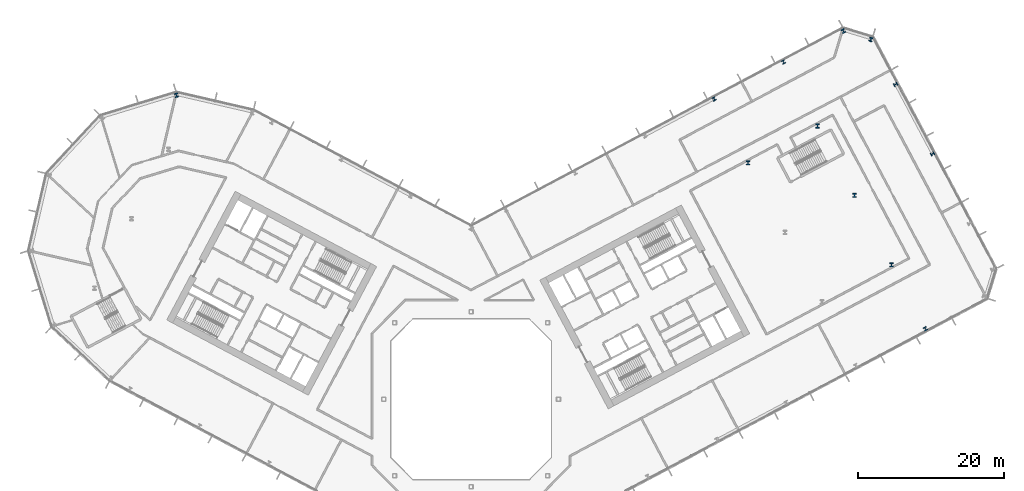
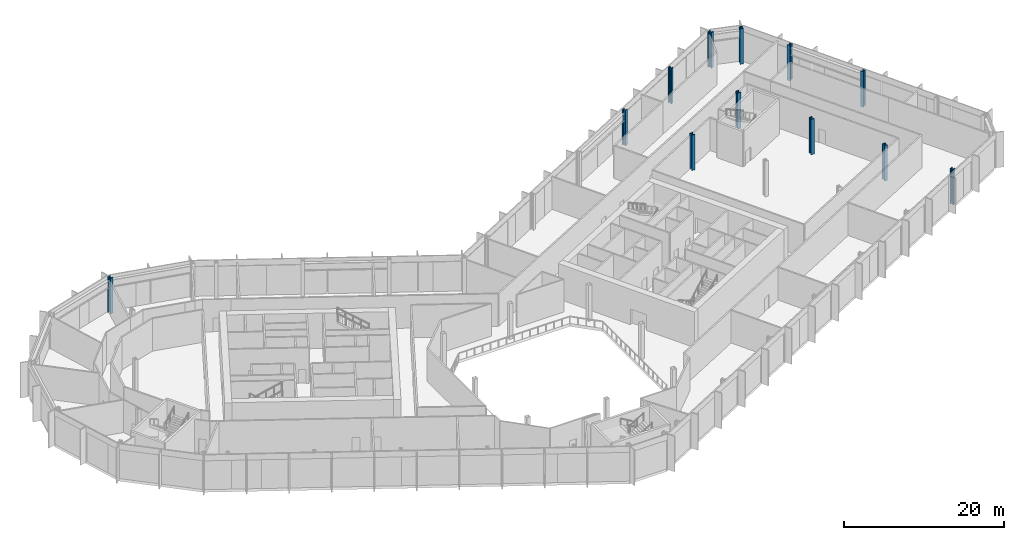
# One storey, part 4 of 31: 12 columns.
"""IFC4 building model written with IfcOpenShell, lengths in metres."""

import ifcopenshell
import ifcopenshell.guid

model = None  # the IFC model being written
_history = None  # IfcOwnerHistory: only IFC2X3 demands one
_inside = {}  # id of a spatial element -> (the spatial element, [elements in it])
_under = {}  # id of a project, library or spatial element -> (it, [spatial elements below it])
_declared = {}  # id of a project -> (the project, [libraries it declares])
_typed = {}  # id of a type object -> (the type object, [elements of that type])
_made_of = {}  # id of a material, layer set ... -> (it, [elements and type objects made of it])


def new_model(schema):
    """Start an empty IFC model of exactly this schema.

    Asked for "IFC4X3", IfcOpenShell would pick the latest addendum, in which some entities
    have other attributes; the version numbers below select the first issue.
    IFC2X3 requires an IfcOwnerHistory on every rooted entity: one is made here for all.
    """
    global model, _history
    if schema == "IFC4X3":
        model = ifcopenshell.file(schema_version=(4, 3, 0, 0))
    else:
        model = ifcopenshell.file(schema=schema)
    _inside.clear()
    _under.clear()
    _declared.clear()
    _typed.clear()
    _made_of.clear()
    _history = None
    if model.schema == "IFC2X3":
        org = make("IfcOrganization", Name="unknown")
        user = make(
            "IfcPersonAndOrganization",
            ThePerson=make("IfcPerson", FamilyName="unknown"),
            TheOrganization=org,
        )
        app = make(
            "IfcApplication",
            ApplicationDeveloper=org,
            Version="unknown",
            ApplicationFullName="unknown",
            ApplicationIdentifier="unknown",
        )
        _history = make(
            "IfcOwnerHistory",
            OwningUser=user,
            OwningApplication=app,
            ChangeAction="ADDED",
            CreationDate=0,
        )
    return model


def make(cls, **values):
    """One entity of the class cls with the attributes given. An attribute that is None is left unset."""
    return model.create_entity(
        cls, **{name: value for name, value in values.items() if value is not None}
    )


def rooted(cls, **values):
    """An entity with a GlobalId (a new one), such as an element, a storey or a relation."""
    return make(cls, GlobalId=ifcopenshell.guid.new(), OwnerHistory=_history, **values)


def si_unit(unit_type, name, prefix=None):
    """IfcSIUnit, for example si_unit("LENGTHUNIT", "METRE", prefix="MILLI")."""
    return make("IfcSIUnit", UnitType=unit_type, Prefix=prefix, Name=name)


def assignment(units):
    """IfcUnitAssignment: the units of a project."""
    return None if units is None else make("IfcUnitAssignment", Units=units)


def point(xyz):
    """IfcCartesianPoint."""
    return None if xyz is None else make("IfcCartesianPoint", Coordinates=xyz)


def direction(xyz):
    """IfcDirection."""
    return None if xyz is None else make("IfcDirection", DirectionRatios=xyz)


def frame(location, z_axis=None, x_axis=None):
    """IfcAxis2Placement3D, a coordinate frame: its origin and axes. An axis left out is left unset."""
    return make(
        "IfcAxis2Placement3D",
        Location=point(location),
        Axis=direction(z_axis),
        RefDirection=direction(x_axis),
    )


def frame_2d(location, x_axis=None):
    """IfcAxis2Placement2D, a coordinate frame in the plane: its origin and x axis."""
    return make(
        "IfcAxis2Placement2D", Location=point(location), RefDirection=direction(x_axis)
    )


def origin():
    """The frame at (0, 0, 0) with its axes left unset."""
    return frame((0.0, 0.0, 0.0))


def origin_2d():
    """The frame at (0, 0) in the plane with its x axis left unset."""
    return frame_2d((0.0, 0.0))


def place(relative_to, where):
    """IfcLocalPlacement: puts the frame where relative to a parent placement (None: the world)."""
    return make(
        "IfcLocalPlacement", PlacementRelTo=relative_to, RelativePlacement=where
    )


def context(
    kind, dimensions, precision=None, world=None, true_north=None, identifier=None
):
    """IfcGeometricRepresentationContext, for example the 3D "Model" context."""
    return make(
        "IfcGeometricRepresentationContext",
        ContextIdentifier=identifier,
        ContextType=kind,
        CoordinateSpaceDimension=dimensions,
        Precision=precision,
        WorldCoordinateSystem=world,
        TrueNorth=true_north,
    )


def subcontext(parent, identifier, kind, view, scale=None):
    """IfcGeometricRepresentationSubContext, for example "Body" below "Model"."""
    return make(
        "IfcGeometricRepresentationSubContext",
        ContextIdentifier=identifier,
        ContextType=kind,
        ParentContext=parent,
        TargetScale=scale,
        TargetView=view,
    )


def project(units=None, contexts=None):
    """IfcProject with its units and contexts."""
    return rooted(
        "IfcProject",
        Name="project",
        RepresentationContexts=contexts,
        UnitsInContext=assignment(units),
    )


def spatial(cls, under=None, at=None, **own):
    """A site, building, storey or space (cls), placed at a placement, below another one or the project."""
    s = rooted(cls, ObjectPlacement=at, **own)
    if under is not None:
        _under.setdefault(under.id(), (under, []))[1].append(s)
    return s


def profile(cls, at=None, kind="AREA", **sizes):
    """A parametric profile (cls). Its sizes go by their IFC names, for example OverallWidth=200.0."""
    return make(cls, ProfileType=kind, Position=at, **sizes)


def i_section(**sizes):
    """IfcIShapeProfileDef."""
    return profile("IfcIShapeProfileDef", **sizes)


def extrude(swept, where, along, depth):
    """IfcExtrudedAreaSolid: the profile swept, set in the frame where, extruded along a direction by depth."""
    return make(
        "IfcExtrudedAreaSolid",
        SweptArea=swept,
        Position=where,
        ExtrudedDirection=direction(along),
        Depth=depth,
    )


def shape(context_of_items, identifier, shape_type, items):
    """IfcShapeRepresentation: the items that make up one representation, for example the "Body"."""
    return make(
        "IfcShapeRepresentation",
        ContextOfItems=context_of_items,
        RepresentationIdentifier=identifier,
        RepresentationType=shape_type,
        Items=items,
    )


def material(Name=None, Category=None):
    """IfcMaterial."""
    return make("IfcMaterial", Name=Name, Category=Category)


def material_profile(
    of_material, cross_section, Name=None, Category=None, Priority=None
):
    """IfcMaterialProfile: a cross section and its material."""
    return make(
        "IfcMaterialProfile",
        Name=Name,
        Material=of_material,
        Profile=cross_section,
        Priority=Priority,
        Category=Category,
    )


def profile_set(profiles, Name=None, composite=None):
    """IfcMaterialProfileSet."""
    return make(
        "IfcMaterialProfileSet",
        Name=Name,
        MaterialProfiles=profiles,
        CompositeProfile=composite,
    )


def made_of(thing, what):
    """Note that an element or type object is made of a material, layer set ...; save() writes the relation."""
    if what is not None:
        _made_of.setdefault(what.id(), (what, []))[1].append(thing)
    return thing


def type_object(cls, material=None, **own):
    """A type object (cls), such as IfcWallType, which elements share."""
    return made_of(rooted(cls, **own), material)


def element(
    cls,
    number,
    at=None,
    inside=None,
    cuts=None,
    type_object=None,
    material=None,
    context=None,
    identifier="Body",
    shape_type=None,
    held_by="IfcProductDefinitionShape",
    body=None,
    shapes=None,
    **own,
):
    """One element of the class cls, such as IfcWall. Its Tag is "e" and its number.

    at: its placement. inside: the storey or other place that contains it. cuts: it is an
    opening in that element (IfcRelVoidsElement). A single representation is given by context,
    identifier, shape_type and body (its items); several are given by shapes. held_by: the class
    of the entity that holds the representations. save() writes the other relations.
    """
    e = rooted(cls, Tag="e%d" % number, ObjectPlacement=at, **own)
    if body is not None:
        shapes = [shape(context, identifier, shape_type, body)]
    if shapes is not None:
        e.Representation = make(held_by, Representations=shapes)
    if inside is not None:
        _inside.setdefault(inside.id(), (inside, []))[1].append(e)
    if cuts is not None:
        rooted(
            "IfcRelVoidsElement", RelatingBuildingElement=cuts, RelatedOpeningElement=e
        )
    if type_object is not None:
        _typed.setdefault(type_object.id(), (type_object, []))[1].append(e)
    return made_of(e, material)


def aggregate(whole, parts):
    """IfcRelAggregates: a whole, such as a stair, and the parts it consists of."""
    return rooted("IfcRelAggregates", RelatingObject=whole, RelatedObjects=parts)


def save(model, path):
    """Write the relations noted so far, then the file.

    IfcRelAggregates (storeys below a building ...), IfcRelContainedInSpatialStructure (elements
    in a storey), IfcRelDefinesByType, IfcRelAssociatesMaterial and IfcRelDeclares: one each for
    every whole, place, type object, material and project.
    """
    for whole, parts in _under.values():
        aggregate(whole, parts)
    for where, things in _inside.values():
        rooted(
            "IfcRelContainedInSpatialStructure",
            RelatedElements=things,
            RelatingStructure=where,
        )
    for kind, things in _typed.values():
        rooted("IfcRelDefinesByType", RelatedObjects=things, RelatingType=kind)
    for what, things in _made_of.values():
        rooted("IfcRelAssociatesMaterial", RelatedObjects=things, RelatingMaterial=what)
    for by, libraries in _declared.values():
        rooted("IfcRelDeclares", RelatingContext=by, RelatedDefinitions=libraries)
    model.write(path)


model = new_model("IFC4")

# Units and contexts
model_context = context("Model", 3, precision=1e-05, world=origin(), true_north=direction((0.0, 1.0)))
body_context = subcontext(model_context, "Body", "Model", "MODEL_VIEW")
ifc_project = project(units=[si_unit("LENGTHUNIT", "METRE"), si_unit("AREAUNIT", "SQUARE_METRE"), si_unit("VOLUMEUNIT", "CUBIC_METRE"), si_unit("PLANEANGLEUNIT", "RADIAN"), si_unit("MASSUNIT", "GRAM", prefix="KILO")], contexts=[model_context])

# Site, building, storey
site_placement = place(None, origin())
site = spatial("IfcSite", under=ifc_project, at=site_placement, CompositionType="ELEMENT")
building_placement = place(site_placement, origin())
building = spatial("IfcBuilding", under=site, at=building_placement, Name="Cormorant Relay Tower", CompositionType="ELEMENT")
storey_placement = place(building_placement, frame((0.0, 0.0, 12.199951171875)))
storey = spatial("IfcBuildingStorey", under=building, at=storey_placement, Name="L02", CompositionType="ELEMENT", Elevation=12.199951171875)

# Columns
ifc_material_1 = material(Name="Steel ASTM A992 (Fy 345 MPa)", Category="steel")
ifc_material_profile_1 = material_profile(ifc_material_1, i_section(OverallWidth=0.45458984375, OverallDepth=0.569091796875, WebThickness=0.077880859375, FlangeThickness=0.124755859375, FilletRadius=0.015380859375, at=origin_2d()), Name="W360x1086")
ifc_profile_set_1 = profile_set([ifc_material_profile_1], Name="Steel ASTM A992 (Fy 345 MPa)")
column_type_1 = type_object("IfcColumnType", Name="Column W360x1086", PredefinedType="COLUMN", material=ifc_profile_set_1)
for number, where, z_axis, x_axis, name in (
    (1, (57.694091796875, 18.445068359375, 0.0), (0.0, 0.0, 1.0), (1.0, 0.0, 0.0), "Column L02-029"),
    (2, (52.6240234375, 27.98095703125, 0.0), (0.0, 0.0, 1.0), (1.0, 0.0, 0.0), "Column L02-037"),
    (3, (38.01806640625, 32.446044921875, 0.0), (0.0, 0.0, 1.0), (1.0, 0.0, 0.0), "Column L02-040"),
    (4, (47.552978515625, 37.51611328125, 0.0), (0.0, 0.0, 1.0), (1.0, 0.0, 0.0), "Column L02-045"),
    (5, (-40.451904296875, 41.73388671875, 0.0), (0.0, 0.0, 1.0), (-0.956304755963, -0.292371704723, 0.0), "Column L02-050"),
    (6, (54.866943359375, 49.385986328125, 0.0), (0.0, 0.0, 1.0), (-0.956304755963, 0.292371704723, 0.0), "Column L02-053"),
    (7, (51.10302734375, 50.537109375, 0.0), (0.0, 0.0, 1.0), (-0.882947592859, -0.469471562786, 0.0), "Column L02-054"),
):
    element("IfcColumn", number, at=place(storey_placement, frame(where, z_axis=z_axis, x_axis=x_axis)), inside=storey, type_object=column_type_1, Name=name, PredefinedType="COLUMN", context=body_context, shape_type="SweptSolid", body=[
        extrude(i_section(OverallWidth=0.45458984375, OverallDepth=0.569091796875, WebThickness=0.077880859375, FlangeThickness=0.124755859375, FilletRadius=0.015380859375, at=origin_2d()), origin(), (0.0, 0.0, 1.0), 5.400146484375),
    ])
ifc_material_2 = material(Name="Steel ASTM A992 (Fy 345 MPa)", Category="steel")
ifc_material_profile_2 = material_profile(ifc_material_2, i_section(OverallWidth=0.43701171875, OverallDepth=0.51318359375, WebThickness=0.060546875, FlangeThickness=0.096923828125, FilletRadius=0.015380859375, at=origin_2d()), Name="W360x818")
ifc_profile_set_2 = profile_set([ifc_material_profile_2], Name="Steel ASTM A992 (Fy 345 MPa)")
column_type_2 = type_object("IfcColumnType", Name="Column W360x818", PredefinedType="COLUMN", material=ifc_profile_set_2)
for number, where, z_axis, x_axis, name in (
    (8, (62.361083984375, 9.66796875, 0.0), (0.0, 0.0, 1.0), (0.882947592859, 0.469471562786, 0.0), "Column L02-020"),
    (9, (63.343017578125, 33.679931640625, 0.0), (0.0, 0.0, 1.0), (-0.469471562786, 0.882947592859, 0.0), "Column L02-042"),
    (10, (33.35107421875, 41.222900390625, 0.0), (0.0, 0.0, 1.0), (-0.882947592859, -0.469471562786, 0.0), "Column L02-049"),
    (11, (58.27197265625, 43.216064453125, 0.0), (0.0, 0.0, 1.0), (-0.469471562786, 0.882947592859, 0.0), "Column L02-051"),
    (12, (42.886962890625, 46.29296875, 0.0), (0.0, 0.0, 1.0), (-0.882947592859, -0.469471562786, 0.0), "Column L02-052"),
):
    element("IfcColumn", number, at=place(storey_placement, frame(where, z_axis=z_axis, x_axis=x_axis)), inside=storey, type_object=column_type_2, Name=name, PredefinedType="COLUMN", context=body_context, shape_type="SweptSolid", body=[
        extrude(i_section(OverallWidth=0.43701171875, OverallDepth=0.51318359375, WebThickness=0.060546875, FlangeThickness=0.096923828125, FilletRadius=0.015380859375, at=origin_2d()), origin(), (0.0, 0.0, 1.0), 5.400146484375),
    ])

save(model, "model.ifc")
